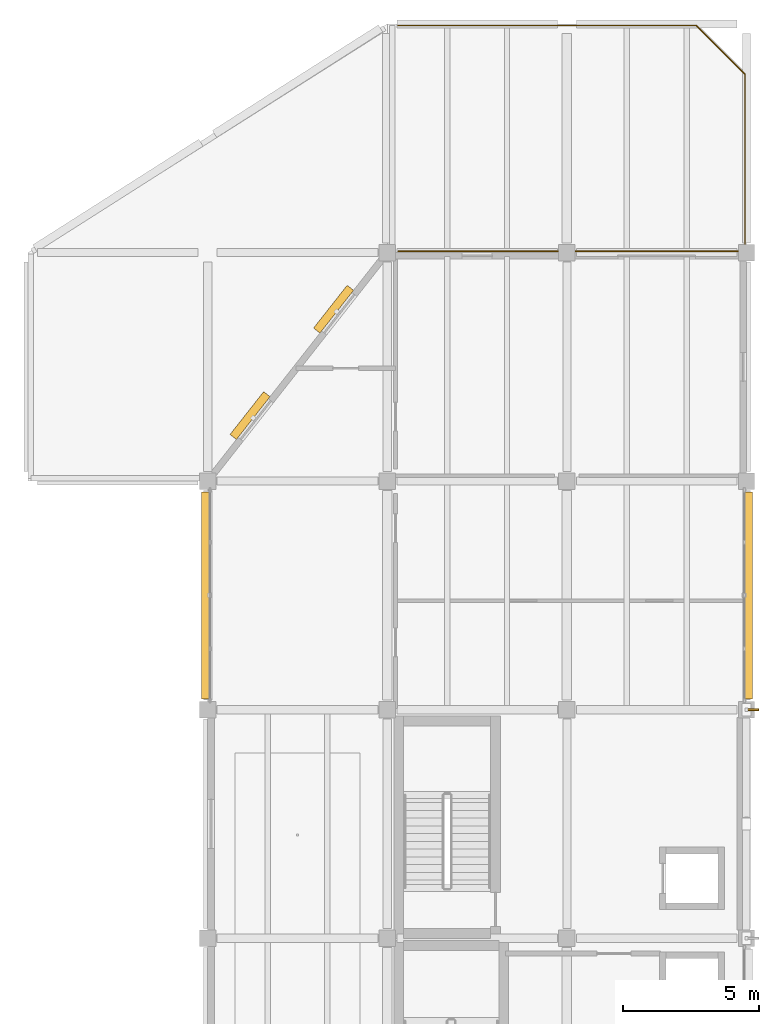
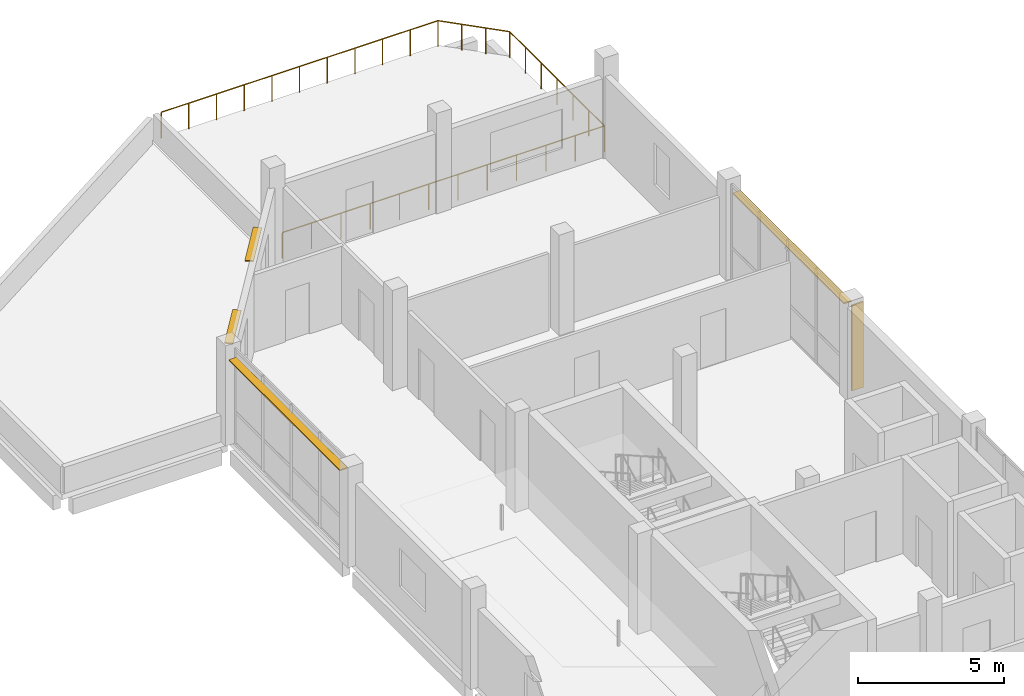
# One storey, part 12 of 12: 5 shading devices, 1 railing.
"""IFC4 building model written with IfcOpenShell, lengths in metres."""

from ifc_helpers import new_model, si_unit, direction, frame, origin, origin_2d, place, context, subcontext, project, spatial, rectangle, circle, extrude, material, layer, layer_set, type_object, element, save


model = new_model("IFC4")

# Units and contexts
model_context = context("Model", 3, precision=1e-05, world=origin(), true_north=direction((0.0, 1.0)))
body_context = subcontext(model_context, "Body", "Model", "MODEL_VIEW")
ifc_project = project(units=[si_unit("LENGTHUNIT", "METRE"), si_unit("AREAUNIT", "SQUARE_METRE"), si_unit("VOLUMEUNIT", "CUBIC_METRE"), si_unit("PLANEANGLEUNIT", "RADIAN"), si_unit("MASSUNIT", "GRAM", prefix="KILO")], contexts=[model_context])

# Site, building, storey
site_placement = place(None, origin())
site = spatial("IfcSite", under=ifc_project, at=site_placement, CompositionType="ELEMENT")
building_placement = place(site_placement, origin())
building = spatial("IfcBuilding", under=site, at=building_placement, Name="Qaldarim Faculty of Natural and Applied Sciences", CompositionType="ELEMENT")
storey_placement = place(building_placement, frame((0.0, 0.0, 31.199951171875)))
storey = spatial("IfcBuildingStorey", under=building, at=storey_placement, Name="L07", CompositionType="ELEMENT", Elevation=31.199951171875)

# Railing
ifc_material_1 = material(Name="Architectural stainless steel 316", Category="steel")
railing_type = type_object("IfcRailingType", Name="ExteriorGuardBalustrade-1100", PredefinedType="BALUSTRADE", material=ifc_material_1)
railing_placement = place(storey_placement, frame((165.39990234375, 50.449951171875, 0.0)))
element("IfcRailing", 1, at=railing_placement, inside=storey, type_object=railing_type, Name="Safety guard balustrade GRD-TER-L07-V5", PredefinedType="BALUSTRADE", context=body_context, shape_type="SweptSolid", body=[
    extrude(circle(Radius=0.02392578125, at=origin_2d()), frame((0.00390625, 0.0, 1.076171875), z_axis=(1.0, 0.0, 0.0), x_axis=(0.0, 1.0, 0.0)), (0.0, 0.0, 1.0), 12.741943359375),
    extrude(circle(Radius=0.02392578125, at=origin_2d()), frame((12.75, 0.00390625, 1.076171875), z_axis=(0.0, 1.0, 0.0), x_axis=(-1.0, 0.0, 0.0)), (0.0, 0.0, 1.0), 6.491943359375),
    extrude(circle(Radius=0.02392578125, at=origin_2d()), frame((12.7470703125, 6.5029296875, 1.076171875), z_axis=(-0.707058823862, 0.707154735259, 0.0), x_axis=(-0.707154735259, -0.707058823862, 0.0)), (0.0, 0.0, 1.0), 2.53759765625),
    extrude(circle(Radius=0.02392578125, at=origin_2d()), frame((10.9462890625, 8.300048828125, 1.076171875), z_axis=(-1.0, 0.0, 0.0), x_axis=(0.0, -1.0, 0.0)), (0.0, 0.0, 1.0), 10.942138671875),
    extrude(circle(Radius=0.02099609375, at=origin_2d()), origin(), (0.0, 0.0, 1.0), 1.052001953125),
    extrude(circle(Radius=0.02099609375, at=origin_2d()), frame((1.1591796875, 0.0, 0.0)), (0.0, 0.0, 1.0), 1.052001953125),
    extrude(circle(Radius=0.02099609375, at=origin_2d()), frame((2.318115234375, 0.0, 0.0)), (0.0, 0.0, 1.0), 1.052001953125),
    extrude(circle(Radius=0.02099609375, at=origin_2d()), frame((3.477294921875, 0.0, 0.0)), (0.0, 0.0, 1.0), 1.052001953125),
    extrude(circle(Radius=0.02099609375, at=origin_2d()), frame((4.636474609375, 0.0, 0.0)), (0.0, 0.0, 1.0), 1.052001953125),
    extrude(circle(Radius=0.02099609375, at=origin_2d()), frame((5.79541015625, 0.0, 0.0)), (0.0, 0.0, 1.0), 1.052001953125),
    extrude(circle(Radius=0.02099609375, at=origin_2d()), frame((6.95458984375, 0.0, 0.0)), (0.0, 0.0, 1.0), 1.052001953125),
    extrude(circle(Radius=0.02099609375, at=origin_2d()), frame((8.113525390625, 0.0, 0.0)), (0.0, 0.0, 1.0), 1.052001953125),
    extrude(circle(Radius=0.02099609375, at=origin_2d()), frame((9.272705078125, 0.0, 0.0)), (0.0, 0.0, 1.0), 1.052001953125),
    extrude(circle(Radius=0.02099609375, at=origin_2d()), frame((10.431884765625, 0.0, 0.0)), (0.0, 0.0, 1.0), 1.052001953125),
    extrude(circle(Radius=0.02099609375, at=origin_2d()), frame((11.5908203125, 0.0, 0.0)), (0.0, 0.0, 1.0), 1.052001953125),
    extrude(circle(Radius=0.02099609375, at=origin_2d()), frame((12.75, 0.0, 0.0)), (0.0, 0.0, 1.0), 1.052001953125),
    extrude(circle(Radius=0.02099609375, at=origin_2d()), frame((12.75, 1.083251953125, 0.0)), (0.0, 0.0, 1.0), 1.052001953125),
    extrude(circle(Radius=0.02099609375, at=origin_2d()), frame((12.75, 2.166748046875, 0.0)), (0.0, 0.0, 1.0), 1.052001953125),
    extrude(circle(Radius=0.02099609375, at=origin_2d()), frame((12.75, 3.25, 0.0)), (0.0, 0.0, 1.0), 1.052001953125),
    extrude(circle(Radius=0.02099609375, at=origin_2d()), frame((12.75, 4.333251953125, 0.0)), (0.0, 0.0, 1.0), 1.052001953125),
    extrude(circle(Radius=0.02099609375, at=origin_2d()), frame((12.75, 5.416748046875, 0.0)), (0.0, 0.0, 1.0), 1.052001953125),
    extrude(circle(Radius=0.02099609375, at=origin_2d()), frame((12.75, 6.5, 0.0)), (0.0, 0.0, 1.0), 1.052001953125),
    extrude(circle(Radius=0.02099609375, at=origin_2d()), frame((12.150146484375, 7.10009765625, 0.0)), (0.0, 0.0, 1.0), 1.052001953125),
    extrude(circle(Radius=0.02099609375, at=origin_2d()), frame((11.550048828125, 7.699951171875, 0.0)), (0.0, 0.0, 1.0), 1.052001953125),
    extrude(circle(Radius=0.02099609375, at=origin_2d()), frame((10.9501953125, 8.300048828125, 0.0)), (0.0, 0.0, 1.0), 1.052001953125),
    extrude(circle(Radius=0.02099609375, at=origin_2d()), frame((9.855224609375, 8.300048828125, 0.0)), (0.0, 0.0, 1.0), 1.052001953125),
    extrude(circle(Radius=0.02099609375, at=origin_2d()), frame((8.76025390625, 8.300048828125, 0.0)), (0.0, 0.0, 1.0), 1.052001953125),
    extrude(circle(Radius=0.02099609375, at=origin_2d()), frame((7.6650390625, 8.300048828125, 0.0)), (0.0, 0.0, 1.0), 1.052001953125),
    extrude(circle(Radius=0.02099609375, at=origin_2d()), frame((6.570068359375, 8.300048828125, 0.0)), (0.0, 0.0, 1.0), 1.052001953125),
    extrude(circle(Radius=0.02099609375, at=origin_2d()), frame((5.47509765625, 8.300048828125, 0.0)), (0.0, 0.0, 1.0), 1.052001953125),
    extrude(circle(Radius=0.02099609375, at=origin_2d()), frame((4.380126953125, 8.300048828125, 0.0)), (0.0, 0.0, 1.0), 1.052001953125),
    extrude(circle(Radius=0.02099609375, at=origin_2d()), frame((3.28515625, 8.300048828125, 0.0)), (0.0, 0.0, 1.0), 1.052001953125),
    extrude(circle(Radius=0.02099609375, at=origin_2d()), frame((2.18994140625, 8.300048828125, 0.0)), (0.0, 0.0, 1.0), 1.052001953125),
    extrude(circle(Radius=0.02099609375, at=origin_2d()), frame((1.094970703125, 8.300048828125, 0.0)), (0.0, 0.0, 1.0), 1.052001953125),
    extrude(circle(Radius=0.02099609375, at=origin_2d()), frame((0.0, 8.300048828125, 0.0)), (0.0, 0.0, 1.0), 1.052001953125),
])

# Shading devices
ifc_material_2 = material(Name="Champagne anodised aluminium AW-6063", Category="aluminium")
ifc_layer_1 = layer(ifc_material_2, 0.050048828125)
ifc_layer_set_1 = layer_set([ifc_layer_1], Name="Champagne anodised aluminium AW-6063")
shading_device_type_1 = type_object("IfcShadingDeviceType", Name="SolarLouvre-ALU300x50", PredefinedType="JALOUSIE", material=ifc_layer_set_1)
for number, where, z_axis, x_axis, name in (
    (2, (158.330078125, 37.800048828125, 3.60498046875), (0.0, 0.0, 1.0), (0.0, 1.0, 0.0), "Horizontal solar louvre L07 W X25Y05"),
    (3, (178.27001953125, 37.800048828125, 3.60498046875), (0.0, 0.0, 1.0), (0.0, 1.0, 0.0), "Horizontal solar louvre L07 E X27Y05"),
):
    element("IfcShadingDevice", number, at=place(storey_placement, frame(where, z_axis=z_axis, x_axis=x_axis)), inside=storey, type_object=shading_device_type_1, Name=name, PredefinedType="JALOUSIE", context=body_context, shape_type="SweptSolid", body=[
        extrude(rectangle(XDim=7.610107421875, YDim=0.300048828125, at=origin_2d()), origin(), (0.0, 0.0, 1.0), 0.050048828125),
    ])
for number, where, z_axis, x_axis, name in (
    (4, (159.955078125, 44.409912109375, 2.6748046875), (0.0, 0.0, 1.0), (0.617818442277, 0.786320782112, 0.0), "Oblique facade horizontal solar louvre SHD-OBL-NW-L07-1"),
    (5, (163.02490234375, 48.320068359375, 2.6748046875), (0.0, 0.0, 1.0), (0.617818442277, 0.786320782112, 0.0), "Oblique facade horizontal solar louvre SHD-OBL-NW-L07-2"),
):
    element("IfcShadingDevice", number, at=place(storey_placement, frame(where, z_axis=z_axis, x_axis=x_axis)), inside=storey, type_object=shading_device_type_1, Name=name, PredefinedType="JALOUSIE", context=body_context, shape_type="SweptSolid", body=[
        extrude(rectangle(XDim=2.0, YDim=0.300048828125, at=origin_2d()), origin(), (0.0, 0.0, 1.0), 0.050048828125),
    ])
ifc_layer_2 = layer(ifc_material_2, 0.06005859375)
ifc_layer_set_2 = layer_set([ifc_layer_2], Name="Champagne anodised aluminium AW-6063")
shading_device_type_2 = type_object("IfcShadingDeviceType", Name="VerticalSunFin-ALU450x60", PredefinedType="SHUTTER", material=ifc_layer_set_2)
shading_device_placement = place(storey_placement, frame((178.425048828125, 33.60009765625, 0.199951171875), z_axis=(0.0, 0.0, 1.0), x_axis=(1.0, 0.0, 0.0)))
element("IfcShadingDevice", 6, at=shading_device_placement, inside=storey, type_object=shading_device_type_2, Name="Tower solar fin FIN-V5E-L07-Y05", PredefinedType="SHUTTER", context=body_context, shape_type="SweptSolid", body=[
    extrude(rectangle(XDim=0.449951171875, YDim=0.06005859375, at=origin_2d()), origin(), (0.0, 0.0, 1.0), 3.580078125),
])

save(model, "model.ifc")
